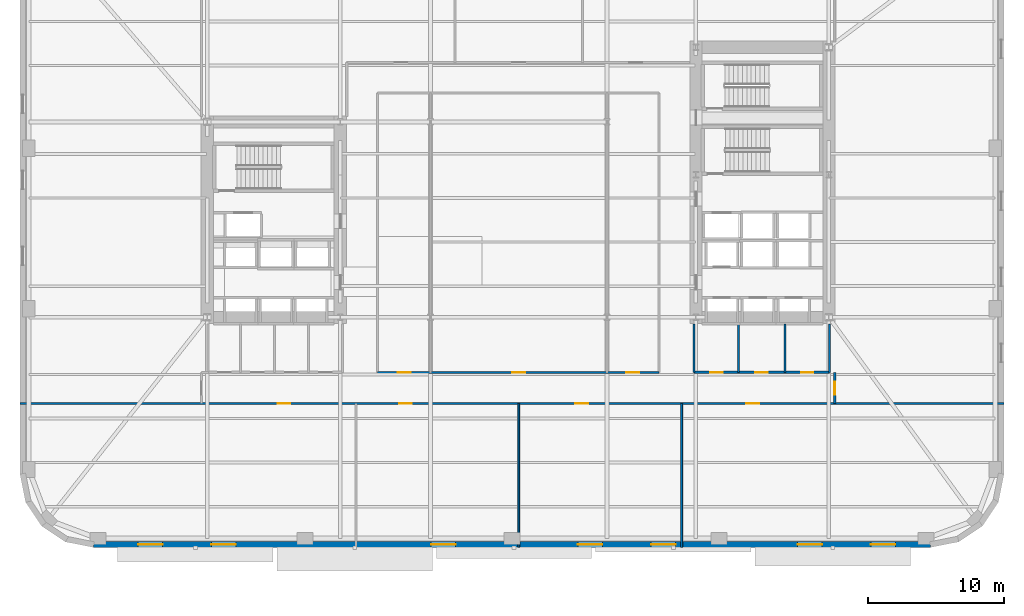
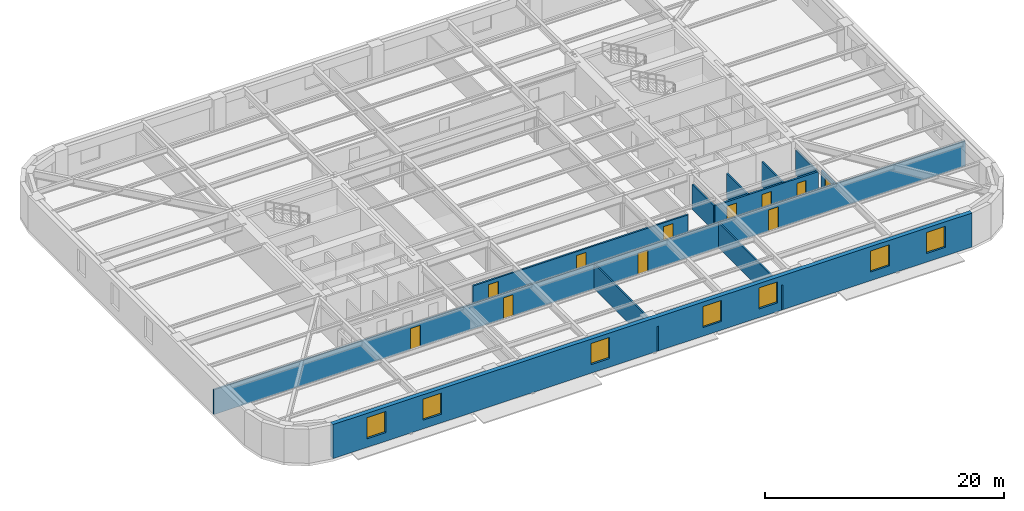
# One storey, part 5 of 15: 11 doors, 11 walls, 7 windows, 18 openings.
"""IFC4 building model written with IfcOpenShell, lengths in metres."""

from ifc_helpers import new_model, si_unit, direction, frame, frame_2d, origin, place, context, subcontext, project, spatial, rectangle, extrude, material, layer, layer_set, type_object, element, fill, save


model = new_model("IFC4")

# Units and contexts
model_context = context("Model", 3, precision=1e-05, world=origin(), true_north=direction((0.0, 1.0)))
body_context = subcontext(model_context, "Body", "Model", "MODEL_VIEW")
ifc_project = project(units=[si_unit("LENGTHUNIT", "METRE"), si_unit("AREAUNIT", "SQUARE_METRE"), si_unit("VOLUMEUNIT", "CUBIC_METRE"), si_unit("PLANEANGLEUNIT", "RADIAN"), si_unit("MASSUNIT", "GRAM", prefix="KILO")], contexts=[model_context])

# Site, building, storey
site_placement = place(None, origin())
site = spatial("IfcSite", under=ifc_project, at=site_placement, CompositionType="ELEMENT")
building_placement = place(site_placement, origin())
building = spatial("IfcBuilding", under=site, at=building_placement, Name="Kolvaren Arena Tower", CompositionType="ELEMENT")
storey_placement = place(building_placement, frame((0.0, 0.0, 64.5)))
storey = spatial("IfcBuildingStorey", under=building, at=storey_placement, Name="L13", CompositionType="ELEMENT", Elevation=64.5)

# Wall, openings, doors
ifc_material_1 = material(Name="Gypsum board acoustic assembly", Category="gypsum")
ifc_layer_1 = layer(ifc_material_1, 0.159912109375)
ifc_layer_set_1 = layer_set([ifc_layer_1], Name="Gypsum board acoustic assembly")
wall_type_1 = type_object("IfcWallType", Name="CORR-160", PredefinedType="PARTITIONING", material=ifc_layer_set_1)
wall_1_placement = place(storey_placement, frame((0.75, 13.10009765625, 0.0), z_axis=(0.0, 0.0, 1.0), x_axis=(1.0, 0.0, 0.0)))
wall_1 = element("IfcWall", 1, at=wall_1_placement, inside=storey, type_object=wall_type_1, Name="Interior Partition Wall (L13)", PredefinedType="PARTITIONING", context=body_context, shape_type="SweptSolid", body=[
    extrude(rectangle(XDim=72.5, YDim=0.159912109375, at=frame_2d((36.25, 0.0))), origin(), (0.0, 0.0, 1.0), 2.5400390625),
])
opening_1_placement = place(wall_1_placement, frame((18.97509765625, 0.0, 0.0)))
opening_1 = element("IfcOpeningElement", 2, at=opening_1_placement, cuts=wall_1, Name="Opening D05", PredefinedType="OPENING", context=body_context, shape_type="SweptSolid", body=[
    extrude(rectangle(XDim=0.949951171875, YDim=2.14990234375, at=frame_2d((0.47509765625, 1.074951171875))), frame((0.0, 0.08984375, 0.0), z_axis=(0.0, -1.0, 0.0), x_axis=(1.0, 0.0, 0.0)), (0.0, 0.0, 1.0), 0.179931640625),
])
opening_2_placement = place(wall_1_placement, frame((27.925048828125, 0.0, 0.0)))
opening_2 = element("IfcOpeningElement", 3, at=opening_2_placement, cuts=wall_1, Name="Opening D05", PredefinedType="OPENING", context=body_context, shape_type="SweptSolid", body=[
    extrude(rectangle(XDim=0.949951171875, YDim=2.14990234375, at=frame_2d((0.47509765625, 1.074951171875))), frame((0.0, 0.08984375, 0.0), z_axis=(0.0, -1.0, 0.0), x_axis=(1.0, 0.0, 0.0)), (0.0, 0.0, 1.0), 0.179931640625),
])
opening_3_placement = place(wall_1_placement, frame((40.925048828125, 0.0, 0.0)))
opening_3 = element("IfcOpeningElement", 4, at=opening_3_placement, cuts=wall_1, Name="Opening D05", PredefinedType="OPENING", context=body_context, shape_type="SweptSolid", body=[
    extrude(rectangle(XDim=0.949951171875, YDim=2.14990234375, at=frame_2d((0.47509765625, 1.074951171875))), frame((0.0, 0.08984375, 0.0), z_axis=(0.0, -1.0, 0.0), x_axis=(1.0, 0.0, 0.0)), (0.0, 0.0, 1.0), 0.179931640625),
])
opening_4_placement = place(wall_1_placement, frame((53.52490234375, 0.0, 0.0)))
opening_4 = element("IfcOpeningElement", 5, at=opening_4_placement, cuts=wall_1, Name="Opening D05", PredefinedType="OPENING", context=body_context, shape_type="SweptSolid", body=[
    extrude(rectangle(XDim=0.949951171875, YDim=2.14990234375, at=frame_2d((0.47509765625, 1.074951171875))), frame((0.0, 0.08984375, 0.0), z_axis=(0.0, -1.0, 0.0), x_axis=(1.0, 0.0, 0.0)), (0.0, 0.0, 1.0), 0.179931640625),
])
ifc_material_2 = material(Name="Solid-core oak acoustic office door", Category="wood")
door_type_1 = type_object("IfcDoorType", Name="DOOR-OF-095", OperationType="NOTDEFINED", PredefinedType="DOOR", material=ifc_material_2)
door_1_placement = place(opening_1_placement, origin())
door_1 = element("IfcDoor", 6, at=door_1_placement, inside=storey, type_object=door_type_1, Name="Wellness Room Door (L13)", OperationType="SINGLE_SWING_LEFT", OverallHeight=2.14990234375, OverallWidth=0.949951171875, PredefinedType="DOOR", context=body_context, shape_type="SweptSolid", body=[
    extrude(rectangle(XDim=0.949951171875, YDim=2.14990234375, at=frame_2d((0.47509765625, 1.074951171875))), frame((0.0, 0.02490234375, 0.0), z_axis=(0.0, -1.0, 0.0), x_axis=(1.0, 0.0, 0.0)), (0.0, 0.0, 1.0), 0.050048828125),
])
fill(opening_1, door_1)
door_2_placement = place(opening_2_placement, origin())
door_2 = element("IfcDoor", 7, at=door_2_placement, inside=storey, type_object=door_type_1, Name="Open Plan Office Door (L13)", OperationType="SINGLE_SWING_RIGHT", OverallHeight=2.14990234375, OverallWidth=0.949951171875, PredefinedType="DOOR", context=body_context, shape_type="SweptSolid", body=[
    extrude(rectangle(XDim=0.949951171875, YDim=2.14990234375, at=frame_2d((0.47509765625, 1.074951171875))), frame((0.0, 0.02490234375, 0.0), z_axis=(0.0, -1.0, 0.0), x_axis=(1.0, 0.0, 0.0)), (0.0, 0.0, 1.0), 0.050048828125),
])
fill(opening_2, door_2)
door_3_placement = place(opening_3_placement, origin())
door_3 = element("IfcDoor", 8, at=door_3_placement, inside=storey, type_object=door_type_1, Name="Copy and Print Room Door (L13)", OperationType="SINGLE_SWING_LEFT", OverallHeight=2.14990234375, OverallWidth=0.949951171875, PredefinedType="DOOR", context=body_context, shape_type="SweptSolid", body=[
    extrude(rectangle(XDim=0.949951171875, YDim=2.14990234375, at=frame_2d((0.47509765625, 1.074951171875))), frame((0.0, 0.02490234375, 0.0), z_axis=(0.0, -1.0, 0.0), x_axis=(1.0, 0.0, 0.0)), (0.0, 0.0, 1.0), 0.050048828125),
])
fill(opening_3, door_3)
door_4_placement = place(opening_4_placement, origin())
door_4 = element("IfcDoor", 9, at=door_4_placement, inside=storey, type_object=door_type_1, Name="Executive Office Door (L13)", OperationType="SINGLE_SWING_RIGHT", OverallHeight=2.14990234375, OverallWidth=0.949951171875, PredefinedType="DOOR", context=body_context, shape_type="SweptSolid", body=[
    extrude(rectangle(XDim=0.949951171875, YDim=2.14990234375, at=frame_2d((0.47509765625, 1.074951171875))), frame((0.0, 0.02490234375, 0.0), z_axis=(0.0, -1.0, 0.0), x_axis=(1.0, 0.0, 0.0)), (0.0, 0.0, 1.0), 0.050048828125),
])
fill(opening_4, door_4)

wall_2_placement = place(storey_placement, frame((27.080078125, 15.3798828125, 0.0), z_axis=(0.0, 0.0, 1.0), x_axis=(1.0, 0.0, 0.0)))
wall_2 = element("IfcWall", 10, at=wall_2_placement, inside=storey, type_object=wall_type_1, Name="Interior Partition Wall (L13)", PredefinedType="PARTITIONING", context=body_context, shape_type="SweptSolid", body=[
    extrude(rectangle(XDim=20.739990234375, YDim=0.159912109375, at=frame_2d((10.3701171875, 0.0))), origin(), (0.0, 0.0, 1.0), 2.5400390625),
])
opening_5_placement = place(wall_2_placement, frame((1.4951171875, 0.0, 0.0)))
opening_5 = element("IfcOpeningElement", 11, at=opening_5_placement, cuts=wall_2, Name="Opening D05", PredefinedType="OPENING", context=body_context, shape_type="SweptSolid", body=[
    extrude(rectangle(XDim=0.949951171875, YDim=2.14990234375, at=frame_2d((0.47509765625, 1.074951171875))), frame((0.0, 0.08984375, 0.0), z_axis=(0.0, -1.0, 0.0), x_axis=(1.0, 0.0, 0.0)), (0.0, 0.0, 1.0), 0.179931640625),
])
opening_6_placement = place(wall_2_placement, frame((9.945068359375, 0.0, 0.0)))
opening_6 = element("IfcOpeningElement", 12, at=opening_6_placement, cuts=wall_2, Name="Opening D05", PredefinedType="OPENING", context=body_context, shape_type="SweptSolid", body=[
    extrude(rectangle(XDim=0.949951171875, YDim=2.14990234375, at=frame_2d((0.47509765625, 1.074951171875))), frame((0.0, 0.08984375, 0.0), z_axis=(0.0, -1.0, 0.0), x_axis=(1.0, 0.0, 0.0)), (0.0, 0.0, 1.0), 0.179931640625),
])
opening_7_placement = place(wall_2_placement, frame((18.344970703125, 0.0, 0.0)))
opening_7 = element("IfcOpeningElement", 13, at=opening_7_placement, cuts=wall_2, Name="Opening D05", PredefinedType="OPENING", context=body_context, shape_type="SweptSolid", body=[
    extrude(rectangle(XDim=0.949951171875, YDim=2.14990234375, at=frame_2d((0.47509765625, 1.074951171875))), frame((0.0, 0.08984375, 0.0), z_axis=(0.0, -1.0, 0.0), x_axis=(1.0, 0.0, 0.0)), (0.0, 0.0, 1.0), 0.179931640625),
])
door_5_placement = place(opening_5_placement, origin())
door_5 = element("IfcDoor", 14, at=door_5_placement, inside=storey, type_object=door_type_1, Name="Open Plan Office Door (L13)", OperationType="SINGLE_SWING_RIGHT", OverallHeight=2.14990234375, OverallWidth=0.949951171875, PredefinedType="DOOR", context=body_context, shape_type="SweptSolid", body=[
    extrude(rectangle(XDim=0.949951171875, YDim=2.14990234375, at=frame_2d((0.47509765625, 1.074951171875))), frame((0.0, 0.02490234375, 0.0), z_axis=(0.0, -1.0, 0.0), x_axis=(1.0, 0.0, 0.0)), (0.0, 0.0, 1.0), 0.050048828125),
])
fill(opening_5, door_5)
door_6_placement = place(opening_6_placement, origin())
door_6 = element("IfcDoor", 15, at=door_6_placement, inside=storey, type_object=door_type_1, Name="Copy and Print Room Door (L13)", OperationType="SINGLE_SWING_LEFT", OverallHeight=2.14990234375, OverallWidth=0.949951171875, PredefinedType="DOOR", context=body_context, shape_type="SweptSolid", body=[
    extrude(rectangle(XDim=0.949951171875, YDim=2.14990234375, at=frame_2d((0.47509765625, 1.074951171875))), frame((0.0, 0.02490234375, 0.0), z_axis=(0.0, -1.0, 0.0), x_axis=(1.0, 0.0, 0.0)), (0.0, 0.0, 1.0), 0.050048828125),
])
fill(opening_6, door_6)
door_7_placement = place(opening_7_placement, origin())
door_7 = element("IfcDoor", 16, at=door_7_placement, inside=storey, type_object=door_type_1, Name="Executive Office Door (L13)", OperationType="SINGLE_SWING_RIGHT", OverallHeight=2.14990234375, OverallWidth=0.949951171875, PredefinedType="DOOR", context=body_context, shape_type="SweptSolid", body=[
    extrude(rectangle(XDim=0.949951171875, YDim=2.14990234375, at=frame_2d((0.47509765625, 1.074951171875))), frame((0.0, 0.02490234375, 0.0), z_axis=(0.0, -1.0, 0.0), x_axis=(1.0, 0.0, 0.0)), (0.0, 0.0, 1.0), 0.050048828125),
])
fill(opening_7, door_7)

# Wall, opening, door
wall_3_placement = place(storey_placement, frame((60.780029296875, 13.10009765625, 0.0), z_axis=(0.0, 0.0, 1.0), x_axis=(0.0, 1.0, 0.0)))
wall_3 = element("IfcWall", 17, at=wall_3_placement, inside=storey, type_object=wall_type_1, Name="Interior Partition Wall (L13)", PredefinedType="PARTITIONING", context=body_context, shape_type="SweptSolid", body=[
    extrude(rectangle(XDim=2.2998046875, YDim=0.159912109375, at=frame_2d((1.14990234375, 0.0))), origin(), (0.0, 0.0, 1.0), 2.5400390625),
])
opening_8_placement = place(wall_3_placement, frame((0.64990234375, 0.0, 0.0)))
opening_8 = element("IfcOpeningElement", 18, at=opening_8_placement, cuts=wall_3, Name="Opening D05", PredefinedType="OPENING", context=body_context, shape_type="SweptSolid", body=[
    extrude(rectangle(XDim=0.949951171875, YDim=2.14990234375, at=frame_2d((0.47509765625, 1.074951171875))), frame((0.0, 0.08984375, 0.0), z_axis=(0.0, -1.0, 0.0), x_axis=(1.0, 0.0, 0.0)), (0.0, 0.0, 1.0), 0.179931640625),
])
door_8_placement = place(opening_8_placement, origin())
door_8 = element("IfcDoor", 19, at=door_8_placement, inside=storey, type_object=door_type_1, Name="East Wing Studio Door (L13)", OperationType="SINGLE_SWING_RIGHT", OverallHeight=2.14990234375, OverallWidth=0.949951171875, PredefinedType="DOOR", context=body_context, shape_type="SweptSolid", body=[
    extrude(rectangle(XDim=0.949951171875, YDim=2.14990234375, at=frame_2d((0.47509765625, 1.074951171875))), frame((0.0, 0.02490234375, 0.0), z_axis=(0.0, -1.0, 0.0), x_axis=(1.0, 0.0, 0.0)), (0.0, 0.0, 1.0), 0.050048828125),
])
fill(opening_8, door_8)

# Wall, openings, windows
ifc_material_3 = material(Name="Precast concrete C50/60", Category="concrete")
ifc_layer_2 = layer(ifc_material_3, 0.419921875)
ifc_layer_set_2 = layer_set([ifc_layer_2], Name="Precast concrete C50/60")
wall_type_2 = type_object("IfcWallType", Name="EXT-PIER1", PredefinedType="SOLIDWALL", material=ifc_layer_set_2)
wall_4_placement = place(storey_placement, frame((67.85009765625, 2.7099609375, 0.0), z_axis=(0.0, 0.0, 1.0), x_axis=(-1.0, 0.0, 0.0)))
wall_4 = element("IfcWall", 20, at=wall_4_placement, inside=storey, type_object=wall_type_2, Name="Exterior Precast Masonry-Frame Wall (L13)", PredefinedType="SOLIDWALL", context=body_context, shape_type="SweptSolid", body=[
    extrude(rectangle(XDim=61.7001953125, YDim=0.419921875, at=frame_2d((30.85009765625, 0.0))), origin(), (0.0, 0.0, 1.0), 3.47998046875),
])
opening_9_placement = place(wall_4_placement, frame((2.60009765625, 0.0, 0.8798828125)))
opening_9 = element("IfcOpeningElement", 21, at=opening_9_placement, cuts=wall_4, Name="Opening W02", PredefinedType="OPENING", context=body_context, shape_type="SweptSolid", body=[
    extrude(rectangle(XDim=1.800048828125, YDim=2.14990234375, at=frame_2d((0.89990234375, 1.074951171875))), frame((0.0, 0.219970703125, 0.0), z_axis=(0.0, -1.0, 0.0), x_axis=(1.0, 0.0, 0.0)), (0.0, 0.0, 1.0), 0.43994140625),
])
opening_10_placement = place(wall_4_placement, frame((8.0, 0.0, 0.8798828125)))
opening_10 = element("IfcOpeningElement", 22, at=opening_10_placement, cuts=wall_4, Name="Opening W02", PredefinedType="OPENING", context=body_context, shape_type="SweptSolid", body=[
    extrude(rectangle(XDim=1.800048828125, YDim=2.14990234375, at=frame_2d((0.89990234375, 1.074951171875))), frame((0.0, 0.219970703125, 0.0), z_axis=(0.0, -1.0, 0.0), x_axis=(1.0, 0.0, 0.0)), (0.0, 0.0, 1.0), 0.43994140625),
])
opening_11_placement = place(wall_4_placement, frame((18.800048828125, 0.0, 0.8798828125)))
opening_11 = element("IfcOpeningElement", 23, at=opening_11_placement, cuts=wall_4, Name="Opening W02", PredefinedType="OPENING", context=body_context, shape_type="SweptSolid", body=[
    extrude(rectangle(XDim=1.800048828125, YDim=2.14990234375, at=frame_2d((0.89990234375, 1.074951171875))), frame((0.0, 0.219970703125, 0.0), z_axis=(0.0, -1.0, 0.0), x_axis=(1.0, 0.0, 0.0)), (0.0, 0.0, 1.0), 0.43994140625),
])
opening_12_placement = place(wall_4_placement, frame((24.199951171875, 0.0, 0.8798828125)))
opening_12 = element("IfcOpeningElement", 24, at=opening_12_placement, cuts=wall_4, Name="Opening W02", PredefinedType="OPENING", context=body_context, shape_type="SweptSolid", body=[
    extrude(rectangle(XDim=1.800048828125, YDim=2.14990234375, at=frame_2d((0.89990234375, 1.074951171875))), frame((0.0, 0.219970703125, 0.0), z_axis=(0.0, -1.0, 0.0), x_axis=(1.0, 0.0, 0.0)), (0.0, 0.0, 1.0), 0.43994140625),
])
opening_13_placement = place(wall_4_placement, frame((35.0, 0.0, 0.8798828125)))
opening_13 = element("IfcOpeningElement", 25, at=opening_13_placement, cuts=wall_4, Name="Opening W02", PredefinedType="OPENING", context=body_context, shape_type="SweptSolid", body=[
    extrude(rectangle(XDim=1.800048828125, YDim=2.14990234375, at=frame_2d((0.89990234375, 1.074951171875))), frame((0.0, 0.219970703125, 0.0), z_axis=(0.0, -1.0, 0.0), x_axis=(1.0, 0.0, 0.0)), (0.0, 0.0, 1.0), 0.43994140625),
])
opening_14_placement = place(wall_4_placement, frame((51.199951171875, 0.0, 0.8798828125)))
opening_14 = element("IfcOpeningElement", 26, at=opening_14_placement, cuts=wall_4, Name="Opening W02", PredefinedType="OPENING", context=body_context, shape_type="SweptSolid", body=[
    extrude(rectangle(XDim=1.800048828125, YDim=2.14990234375, at=frame_2d((0.89990234375, 1.074951171875))), frame((0.0, 0.219970703125, 0.0), z_axis=(0.0, -1.0, 0.0), x_axis=(1.0, 0.0, 0.0)), (0.0, 0.0, 1.0), 0.43994140625),
])
opening_15_placement = place(wall_4_placement, frame((56.60009765625, 0.0, 0.8798828125)))
opening_15 = element("IfcOpeningElement", 27, at=opening_15_placement, cuts=wall_4, Name="Opening W02", PredefinedType="OPENING", context=body_context, shape_type="SweptSolid", body=[
    extrude(rectangle(XDim=1.800048828125, YDim=2.14990234375, at=frame_2d((0.89990234375, 1.074951171875))), frame((0.0, 0.219970703125, 0.0), z_axis=(0.0, -1.0, 0.0), x_axis=(1.0, 0.0, 0.0)), (0.0, 0.0, 1.0), 0.43994140625),
])
ifc_material_4 = material(Name="Triple-glazed low-E aluminium window", Category="aluminium")
window_type = type_object("IfcWindowType", Name="WIN-OFF-B", PartitioningType="DOUBLE_PANEL_VERTICAL", PredefinedType="WINDOW", material=ifc_material_4)
window_1_placement = place(opening_9_placement, origin())
window_1 = element("IfcWindow", 28, at=window_1_placement, inside=storey, type_object=window_type, Name="Punched Precast-Pier Window (L13)", OverallHeight=2.14990234375, OverallWidth=1.800048828125, PartitioningType="DOUBLE_PANEL_VERTICAL", PredefinedType="WINDOW", context=body_context, shape_type="SweptSolid", body=[
    extrude(rectangle(XDim=1.800048828125, YDim=2.14990234375, at=frame_2d((0.89990234375, 1.074951171875))), frame((0.0, 0.030029296875, 0.0), z_axis=(0.0, -1.0, 0.0), x_axis=(1.0, 0.0, 0.0)), (0.0, 0.0, 1.0), 0.06005859375),
])
fill(opening_9, window_1)
window_2_placement = place(opening_10_placement, origin())
window_2 = element("IfcWindow", 29, at=window_2_placement, inside=storey, type_object=window_type, Name="Punched Precast-Pier Window (L13)", OverallHeight=2.14990234375, OverallWidth=1.800048828125, PartitioningType="DOUBLE_PANEL_VERTICAL", PredefinedType="WINDOW", context=body_context, shape_type="SweptSolid", body=[
    extrude(rectangle(XDim=1.800048828125, YDim=2.14990234375, at=frame_2d((0.89990234375, 1.074951171875))), frame((0.0, 0.030029296875, 0.0), z_axis=(0.0, -1.0, 0.0), x_axis=(1.0, 0.0, 0.0)), (0.0, 0.0, 1.0), 0.06005859375),
])
fill(opening_10, window_2)
window_3_placement = place(opening_11_placement, origin())
window_3 = element("IfcWindow", 30, at=window_3_placement, inside=storey, type_object=window_type, Name="Punched Precast-Pier Window (L13)", OverallHeight=2.14990234375, OverallWidth=1.800048828125, PartitioningType="DOUBLE_PANEL_VERTICAL", PredefinedType="WINDOW", context=body_context, shape_type="SweptSolid", body=[
    extrude(rectangle(XDim=1.800048828125, YDim=2.14990234375, at=frame_2d((0.89990234375, 1.074951171875))), frame((0.0, 0.030029296875, 0.0), z_axis=(0.0, -1.0, 0.0), x_axis=(1.0, 0.0, 0.0)), (0.0, 0.0, 1.0), 0.06005859375),
])
fill(opening_11, window_3)
window_4_placement = place(opening_12_placement, origin())
window_4 = element("IfcWindow", 31, at=window_4_placement, inside=storey, type_object=window_type, Name="Punched Precast-Pier Window (L13)", OverallHeight=2.14990234375, OverallWidth=1.800048828125, PartitioningType="DOUBLE_PANEL_VERTICAL", PredefinedType="WINDOW", context=body_context, shape_type="SweptSolid", body=[
    extrude(rectangle(XDim=1.800048828125, YDim=2.14990234375, at=frame_2d((0.89990234375, 1.074951171875))), frame((0.0, 0.030029296875, 0.0), z_axis=(0.0, -1.0, 0.0), x_axis=(1.0, 0.0, 0.0)), (0.0, 0.0, 1.0), 0.06005859375),
])
fill(opening_12, window_4)
window_5_placement = place(opening_13_placement, origin())
window_5 = element("IfcWindow", 32, at=window_5_placement, inside=storey, type_object=window_type, Name="Punched Precast-Pier Window (L13)", OverallHeight=2.14990234375, OverallWidth=1.800048828125, PartitioningType="DOUBLE_PANEL_VERTICAL", PredefinedType="WINDOW", context=body_context, shape_type="SweptSolid", body=[
    extrude(rectangle(XDim=1.800048828125, YDim=2.14990234375, at=frame_2d((0.89990234375, 1.074951171875))), frame((0.0, 0.030029296875, 0.0), z_axis=(0.0, -1.0, 0.0), x_axis=(1.0, 0.0, 0.0)), (0.0, 0.0, 1.0), 0.06005859375),
])
fill(opening_13, window_5)
window_6_placement = place(opening_14_placement, origin())
window_6 = element("IfcWindow", 33, at=window_6_placement, inside=storey, type_object=window_type, Name="Punched Precast-Pier Window (L13)", OverallHeight=2.14990234375, OverallWidth=1.800048828125, PartitioningType="DOUBLE_PANEL_VERTICAL", PredefinedType="WINDOW", context=body_context, shape_type="SweptSolid", body=[
    extrude(rectangle(XDim=1.800048828125, YDim=2.14990234375, at=frame_2d((0.89990234375, 1.074951171875))), frame((0.0, 0.030029296875, 0.0), z_axis=(0.0, -1.0, 0.0), x_axis=(1.0, 0.0, 0.0)), (0.0, 0.0, 1.0), 0.06005859375),
])
fill(opening_14, window_6)
window_7_placement = place(opening_15_placement, origin())
window_7 = element("IfcWindow", 34, at=window_7_placement, inside=storey, type_object=window_type, Name="Punched Precast-Pier Window (L13)", OverallHeight=2.14990234375, OverallWidth=1.800048828125, PartitioningType="DOUBLE_PANEL_VERTICAL", PredefinedType="WINDOW", context=body_context, shape_type="SweptSolid", body=[
    extrude(rectangle(XDim=1.800048828125, YDim=2.14990234375, at=frame_2d((0.89990234375, 1.074951171875))), frame((0.0, 0.030029296875, 0.0), z_axis=(0.0, -1.0, 0.0), x_axis=(1.0, 0.0, 0.0)), (0.0, 0.0, 1.0), 0.06005859375),
])
fill(opening_15, window_7)

# Walls
ifc_material_5 = material(Name="Gypsum board partition assembly", Category="gypsum")
ifc_layer_3 = layer(ifc_material_5, 0.135009765625)
ifc_layer_set_3 = layer_set([ifc_layer_3], Name="Gypsum board partition assembly")
wall_type_3 = type_object("IfcWallType", Name="PART-135", PredefinedType="PARTITIONING", material=ifc_layer_set_3)
for number, where, z_axis, x_axis, name in (
    (35, (37.5, 2.5, 0.0), (0.0, 0.0, 1.0), (0.0, 1.0, 0.0), "Interior Partition Wall (L13)"),
    (36, (49.5, 2.5, 0.0), (0.0, 0.0, 1.0), (0.0, 1.0, 0.0), "Interior Partition Wall (L13)"),
):
    element("IfcWall", number, at=place(storey_placement, frame(where, z_axis=z_axis, x_axis=x_axis)), inside=storey, type_object=wall_type_3, Name=name, PredefinedType="PARTITIONING", context=body_context, shape_type="SweptSolid", body=[
        extrude(rectangle(XDim=10.60009765625, YDim=0.135009765625, at=frame_2d((5.300048828125, 0.0))), origin(), (0.0, 0.0, 1.0), 2.5400390625),
    ])

# Wall, openings, doors
ifc_material_6 = material(Name="Concrete 45 MPa", Category="concrete")
ifc_layer_4 = layer(ifc_material_6, 0.25)
ifc_layer_set_4 = layer_set([ifc_layer_4], Name="Concrete 45 MPa")
wall_type_4 = type_object("IfcWallType", Name="SHAFT-250", PredefinedType="SOLIDWALL", material=ifc_layer_set_4)
wall_5_placement = place(storey_placement, frame((50.39990234375, 15.39990234375, 0.0), z_axis=(0.0, 0.0, 1.0), x_axis=(1.0, 0.0, 0.0)))
wall_5 = element("IfcWall", 37, at=wall_5_placement, inside=storey, type_object=wall_type_4, Name="Interior Partition Wall (L13)", PredefinedType="SOLIDWALL", context=body_context, shape_type="SweptSolid", body=[
    extrude(rectangle(XDim=10.0, YDim=0.179931640625, at=frame_2d((5.0, 0.0))), origin(), (0.0, 0.0, 1.0), 2.5400390625),
])
opening_16_placement = place(wall_5_placement, frame((1.18994140625, 0.0, 0.0)))
opening_16 = element("IfcOpeningElement", 38, at=opening_16_placement, cuts=wall_5, Name="Opening D07", PredefinedType="OPENING", context=body_context, shape_type="SweptSolid", body=[
    extrude(rectangle(XDim=0.919921875, YDim=2.10009765625, at=frame_2d((0.4599609375, 1.050048828125))), frame((0.0, 0.099853515625, 0.0), z_axis=(0.0, -1.0, 0.0), x_axis=(1.0, 0.0, 0.0)), (0.0, 0.0, 1.0), 0.199951171875),
])
opening_17_placement = place(wall_5_placement, frame((4.5400390625, 0.0, 0.0)))
opening_17 = element("IfcOpeningElement", 39, at=opening_17_placement, cuts=wall_5, Name="Opening D07", PredefinedType="OPENING", context=body_context, shape_type="SweptSolid", body=[
    extrude(rectangle(XDim=0.919921875, YDim=2.10009765625, at=frame_2d((0.4599609375, 1.050048828125))), frame((0.0, 0.099853515625, 0.0), z_axis=(0.0, -1.0, 0.0), x_axis=(1.0, 0.0, 0.0)), (0.0, 0.0, 1.0), 0.199951171875),
])
opening_18_placement = place(wall_5_placement, frame((7.919921875, 0.0, 0.0)))
opening_18 = element("IfcOpeningElement", 40, at=opening_18_placement, cuts=wall_5, Name="Opening D09", PredefinedType="OPENING", context=body_context, shape_type="SweptSolid", body=[
    extrude(rectangle(XDim=0.860107421875, YDim=2.050048828125, at=frame_2d((0.43017578125, 1.02490234375))), frame((0.0, 0.099853515625, 0.0), z_axis=(0.0, -1.0, 0.0), x_axis=(1.0, 0.0, 0.0)), (0.0, 0.0, 1.0), 0.199951171875),
])
ifc_material_7 = material(Name="Fire-rated steel riser access door", Category="steel")
door_type_2 = type_object("IfcDoorType", Name="DOOR-RS-086", OperationType="NOTDEFINED", PredefinedType="DOOR", material=ifc_material_7)
door_9_placement = place(opening_18_placement, origin())
door_9 = element("IfcDoor", 41, at=door_9_placement, inside=storey, type_object=door_type_2, Name="Mechanical Riser Closet Door (L13)", OperationType="SINGLE_SWING_LEFT", OverallHeight=2.050048828125, OverallWidth=0.860107421875, PredefinedType="DOOR", context=body_context, shape_type="SweptSolid", body=[
    extrude(rectangle(XDim=0.860107421875, YDim=2.050048828125, at=frame_2d((0.43017578125, 1.02490234375))), frame((0.0, 0.02490234375, 0.0), z_axis=(0.0, -1.0, 0.0), x_axis=(1.0, 0.0, 0.0)), (0.0, 0.0, 1.0), 0.050048828125),
])
fill(opening_18, door_9)
ifc_material_8 = material(Name="Laminate universal washroom door", Category="wood")
door_type_3 = type_object("IfcDoorType", Name="DOOR-WC-092", OperationType="NOTDEFINED", PredefinedType="DOOR", material=ifc_material_8)
door_10_placement = place(opening_16_placement, origin())
door_10 = element("IfcDoor", 42, at=door_10_placement, inside=storey, type_object=door_type_3, Name="Staff Pantry Door (L13)", OperationType="SINGLE_SWING_LEFT", OverallHeight=2.10009765625, OverallWidth=0.919921875, PredefinedType="DOOR", context=body_context, shape_type="SweptSolid", body=[
    extrude(rectangle(XDim=0.919921875, YDim=2.10009765625, at=frame_2d((0.4599609375, 1.050048828125))), frame((0.0, 0.02490234375, 0.0), z_axis=(0.0, -1.0, 0.0), x_axis=(1.0, 0.0, 0.0)), (0.0, 0.0, 1.0), 0.050048828125),
])
fill(opening_16, door_10)
door_11_placement = place(opening_17_placement, origin())
door_11 = element("IfcDoor", 43, at=door_11_placement, inside=storey, type_object=door_type_3, Name="Gender-Neutral Washroom Door (L13)", OperationType="SINGLE_SWING_RIGHT", OverallHeight=2.10009765625, OverallWidth=0.919921875, PredefinedType="DOOR", context=body_context, shape_type="SweptSolid", body=[
    extrude(rectangle(XDim=0.919921875, YDim=2.10009765625, at=frame_2d((0.4599609375, 1.050048828125))), frame((0.0, 0.02490234375, 0.0), z_axis=(0.0, -1.0, 0.0), x_axis=(1.0, 0.0, 0.0)), (0.0, 0.0, 1.0), 0.050048828125),
])
fill(opening_17, door_11)

# Walls
ifc_material_9 = material(Name="Moisture-resistant gypsum assembly", Category="gypsum")
ifc_layer_5 = layer(ifc_material_9, 0.14990234375)
ifc_layer_set_5 = layer_set([ifc_layer_5], Name="Moisture-resistant gypsum assembly")
wall_type_5 = type_object("IfcWallType", Name="WETW-150", PredefinedType="PARTITIONING", material=ifc_layer_set_5)
for number, where, z_axis, x_axis, name in (
    (44, (53.699951171875, 15.39990234375, 0.0), (0.0, 0.0, 1.0), (0.0, 1.0, 0.0), "Interior Partition Wall (L13)"),
    (45, (57.10009765625, 15.39990234375, 0.0), (0.0, 0.0, 1.0), (0.0, 1.0, 0.0), "Interior Partition Wall (L13)"),
    (46, (50.39990234375, 15.39990234375, 0.0), (0.0, 0.0, 1.0), (0.0, 1.0, 0.0), "Interior Partition Wall (L13)"),
    (47, (60.39990234375, 15.39990234375, 0.0), (0.0, 0.0, 1.0), (0.0, 1.0, 0.0), "Interior Partition Wall (L13)"),
):
    element("IfcWall", number, at=place(storey_placement, frame(where, z_axis=z_axis, x_axis=x_axis)), inside=storey, type_object=wall_type_5, Name=name, PredefinedType="PARTITIONING", context=body_context, shape_type="SweptSolid", body=[
        extrude(rectangle(XDim=3.580078125, YDim=0.14990234375, at=frame_2d((1.7900390625, 0.0))), origin(), (0.0, 0.0, 1.0), 2.5400390625),
    ])

save(model, "model.ifc")
